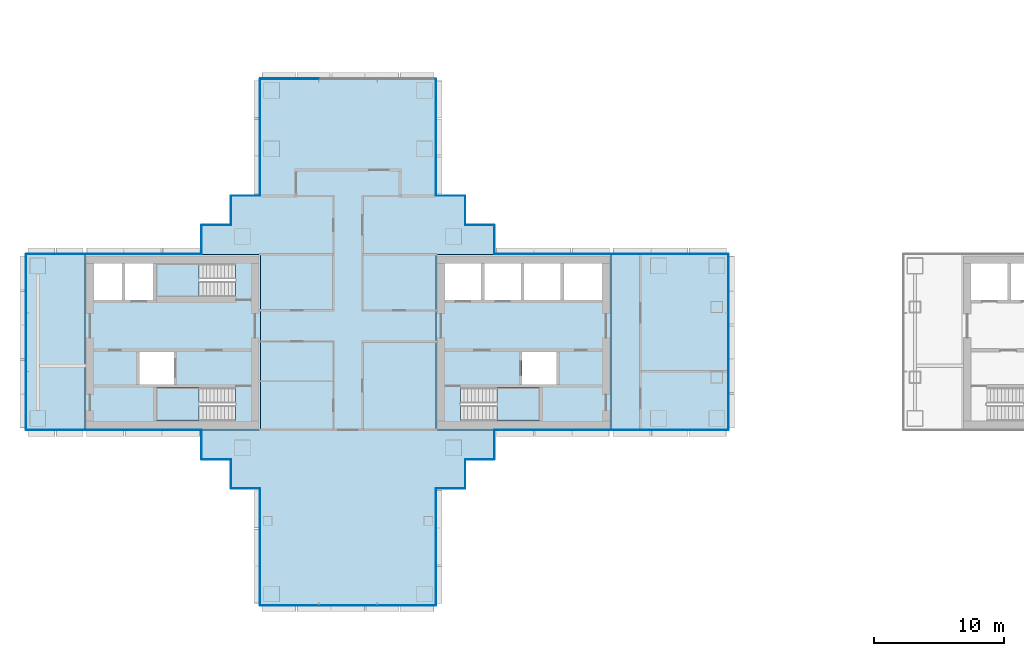
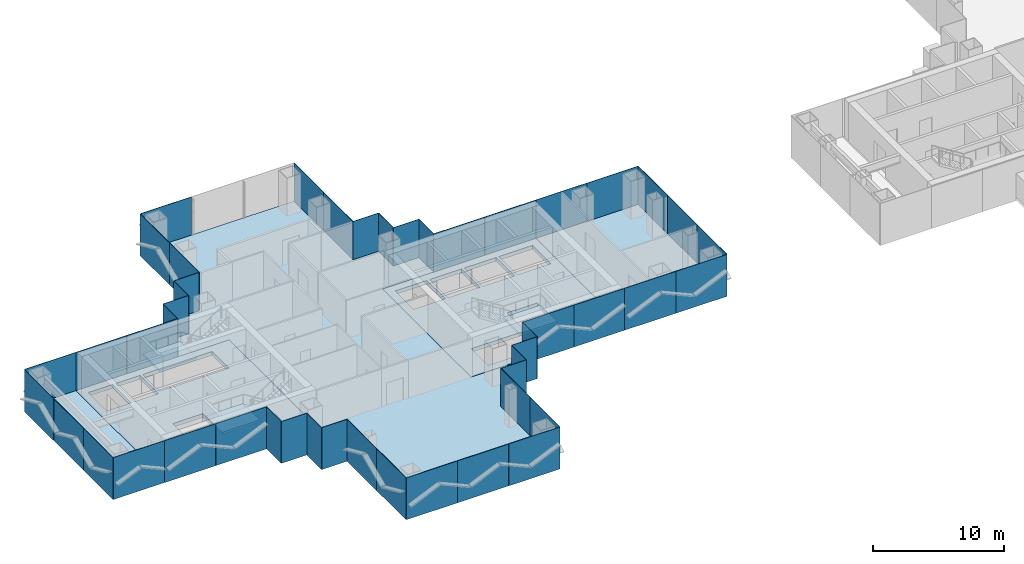
# One storey, part 8 of 19: 48 plates, 8 slabs, 23 elements without a shape of their own.
"""IFC4 building model written with IfcOpenShell, lengths in metres."""

import ifcopenshell
import ifcopenshell.guid

model = None  # the IFC model being written
_history = None  # IfcOwnerHistory: only IFC2X3 demands one
_inside = {}  # id of a spatial element -> (the spatial element, [elements in it])
_under = {}  # id of a project, library or spatial element -> (it, [spatial elements below it])
_declared = {}  # id of a project -> (the project, [libraries it declares])
_typed = {}  # id of a type object -> (the type object, [elements of that type])
_made_of = {}  # id of a material, layer set ... -> (it, [elements and type objects made of it])


def new_model(schema):
    """Start an empty IFC model of exactly this schema.

    Asked for "IFC4X3", IfcOpenShell would pick the latest addendum, in which some entities
    have other attributes; the version numbers below select the first issue.
    IFC2X3 requires an IfcOwnerHistory on every rooted entity: one is made here for all.
    """
    global model, _history
    if schema == "IFC4X3":
        model = ifcopenshell.file(schema_version=(4, 3, 0, 0))
    else:
        model = ifcopenshell.file(schema=schema)
    _inside.clear()
    _under.clear()
    _declared.clear()
    _typed.clear()
    _made_of.clear()
    _history = None
    if model.schema == "IFC2X3":
        org = make("IfcOrganization", Name="unknown")
        user = make(
            "IfcPersonAndOrganization",
            ThePerson=make("IfcPerson", FamilyName="unknown"),
            TheOrganization=org,
        )
        app = make(
            "IfcApplication",
            ApplicationDeveloper=org,
            Version="unknown",
            ApplicationFullName="unknown",
            ApplicationIdentifier="unknown",
        )
        _history = make(
            "IfcOwnerHistory",
            OwningUser=user,
            OwningApplication=app,
            ChangeAction="ADDED",
            CreationDate=0,
        )
    return model


def make(cls, **values):
    """One entity of the class cls with the attributes given. An attribute that is None is left unset."""
    return model.create_entity(
        cls, **{name: value for name, value in values.items() if value is not None}
    )


def rooted(cls, **values):
    """An entity with a GlobalId (a new one), such as an element, a storey or a relation."""
    return make(cls, GlobalId=ifcopenshell.guid.new(), OwnerHistory=_history, **values)


def si_unit(unit_type, name, prefix=None):
    """IfcSIUnit, for example si_unit("LENGTHUNIT", "METRE", prefix="MILLI")."""
    return make("IfcSIUnit", UnitType=unit_type, Prefix=prefix, Name=name)


def assignment(units):
    """IfcUnitAssignment: the units of a project."""
    return None if units is None else make("IfcUnitAssignment", Units=units)


def point(xyz):
    """IfcCartesianPoint."""
    return None if xyz is None else make("IfcCartesianPoint", Coordinates=xyz)


def direction(xyz):
    """IfcDirection."""
    return None if xyz is None else make("IfcDirection", DirectionRatios=xyz)


def frame(location, z_axis=None, x_axis=None):
    """IfcAxis2Placement3D, a coordinate frame: its origin and axes. An axis left out is left unset."""
    return make(
        "IfcAxis2Placement3D",
        Location=point(location),
        Axis=direction(z_axis),
        RefDirection=direction(x_axis),
    )


def frame_2d(location, x_axis=None):
    """IfcAxis2Placement2D, a coordinate frame in the plane: its origin and x axis."""
    return make(
        "IfcAxis2Placement2D", Location=point(location), RefDirection=direction(x_axis)
    )


def origin():
    """The frame at (0, 0, 0) with its axes left unset."""
    return frame((0.0, 0.0, 0.0))


def origin_2d():
    """The frame at (0, 0) in the plane with its x axis left unset."""
    return frame_2d((0.0, 0.0))


def place(relative_to, where):
    """IfcLocalPlacement: puts the frame where relative to a parent placement (None: the world)."""
    return make(
        "IfcLocalPlacement", PlacementRelTo=relative_to, RelativePlacement=where
    )


def context(
    kind, dimensions, precision=None, world=None, true_north=None, identifier=None
):
    """IfcGeometricRepresentationContext, for example the 3D "Model" context."""
    return make(
        "IfcGeometricRepresentationContext",
        ContextIdentifier=identifier,
        ContextType=kind,
        CoordinateSpaceDimension=dimensions,
        Precision=precision,
        WorldCoordinateSystem=world,
        TrueNorth=true_north,
    )


def subcontext(parent, identifier, kind, view, scale=None):
    """IfcGeometricRepresentationSubContext, for example "Body" below "Model"."""
    return make(
        "IfcGeometricRepresentationSubContext",
        ContextIdentifier=identifier,
        ContextType=kind,
        ParentContext=parent,
        TargetScale=scale,
        TargetView=view,
    )


def project(units=None, contexts=None):
    """IfcProject with its units and contexts."""
    return rooted(
        "IfcProject",
        Name="project",
        RepresentationContexts=contexts,
        UnitsInContext=assignment(units),
    )


def spatial(cls, under=None, at=None, **own):
    """A site, building, storey or space (cls), placed at a placement, below another one or the project."""
    s = rooted(cls, ObjectPlacement=at, **own)
    if under is not None:
        _under.setdefault(under.id(), (under, []))[1].append(s)
    return s


def polyline(points):
    """IfcPolyline through the points."""
    return make("IfcPolyline", Points=[point(p) for p in points])


def profile(cls, at=None, kind="AREA", **sizes):
    """A parametric profile (cls). Its sizes go by their IFC names, for example OverallWidth=200.0."""
    return make(cls, ProfileType=kind, Position=at, **sizes)


def rectangle(**sizes):
    """IfcRectangleProfileDef."""
    return profile("IfcRectangleProfileDef", **sizes)


def outline(outer, holes=None, kind="AREA"):
    """IfcArbitraryClosedProfileDef: a profile drawn as a closed curve; with holes, ...WithVoids."""
    if holes is None:
        return make("IfcArbitraryClosedProfileDef", ProfileType=kind, OuterCurve=outer)
    return make(
        "IfcArbitraryProfileDefWithVoids",
        ProfileType=kind,
        OuterCurve=outer,
        InnerCurves=holes,
    )


def extrude(swept, where, along, depth):
    """IfcExtrudedAreaSolid: the profile swept, set in the frame where, extruded along a direction by depth."""
    return make(
        "IfcExtrudedAreaSolid",
        SweptArea=swept,
        Position=where,
        ExtrudedDirection=direction(along),
        Depth=depth,
    )


def shape(context_of_items, identifier, shape_type, items):
    """IfcShapeRepresentation: the items that make up one representation, for example the "Body"."""
    return make(
        "IfcShapeRepresentation",
        ContextOfItems=context_of_items,
        RepresentationIdentifier=identifier,
        RepresentationType=shape_type,
        Items=items,
    )


def material(Name=None, Category=None):
    """IfcMaterial."""
    return make("IfcMaterial", Name=Name, Category=Category)


def layer(
    of_material, thickness, ventilated=None, Name=None, Category=None, Priority=None
):
    """IfcMaterialLayer: one layer of a wall or slab, of a material (None: an air gap)."""
    return make(
        "IfcMaterialLayer",
        Material=of_material,
        LayerThickness=thickness,
        IsVentilated=ventilated,
        Name=Name,
        Category=Category,
        Priority=Priority,
    )


def layer_set(layers, Name=None):
    """IfcMaterialLayerSet."""
    return make("IfcMaterialLayerSet", MaterialLayers=layers, LayerSetName=Name)


def made_of(thing, what):
    """Note that an element or type object is made of a material, layer set ...; save() writes the relation."""
    if what is not None:
        _made_of.setdefault(what.id(), (what, []))[1].append(thing)
    return thing


def type_object(cls, material=None, **own):
    """A type object (cls), such as IfcWallType, which elements share."""
    return made_of(rooted(cls, **own), material)


def element(
    cls,
    number,
    at=None,
    inside=None,
    cuts=None,
    type_object=None,
    material=None,
    context=None,
    identifier="Body",
    shape_type=None,
    held_by="IfcProductDefinitionShape",
    body=None,
    shapes=None,
    **own,
):
    """One element of the class cls, such as IfcWall. Its Tag is "e" and its number.

    at: its placement. inside: the storey or other place that contains it. cuts: it is an
    opening in that element (IfcRelVoidsElement). A single representation is given by context,
    identifier, shape_type and body (its items); several are given by shapes. held_by: the class
    of the entity that holds the representations. save() writes the other relations.
    """
    e = rooted(cls, Tag="e%d" % number, ObjectPlacement=at, **own)
    if body is not None:
        shapes = [shape(context, identifier, shape_type, body)]
    if shapes is not None:
        e.Representation = make(held_by, Representations=shapes)
    if inside is not None:
        _inside.setdefault(inside.id(), (inside, []))[1].append(e)
    if cuts is not None:
        rooted(
            "IfcRelVoidsElement", RelatingBuildingElement=cuts, RelatedOpeningElement=e
        )
    if type_object is not None:
        _typed.setdefault(type_object.id(), (type_object, []))[1].append(e)
    return made_of(e, material)


def aggregate(whole, parts):
    """IfcRelAggregates: a whole, such as a stair, and the parts it consists of."""
    return rooted("IfcRelAggregates", RelatingObject=whole, RelatedObjects=parts)


def save(model, path):
    """Write the relations noted so far, then the file.

    IfcRelAggregates (storeys below a building ...), IfcRelContainedInSpatialStructure (elements
    in a storey), IfcRelDefinesByType, IfcRelAssociatesMaterial and IfcRelDeclares: one each for
    every whole, place, type object, material and project.
    """
    for whole, parts in _under.values():
        aggregate(whole, parts)
    for where, things in _inside.values():
        rooted(
            "IfcRelContainedInSpatialStructure",
            RelatedElements=things,
            RelatingStructure=where,
        )
    for kind, things in _typed.values():
        rooted("IfcRelDefinesByType", RelatedObjects=things, RelatingType=kind)
    for what, things in _made_of.values():
        rooted("IfcRelAssociatesMaterial", RelatedObjects=things, RelatingMaterial=what)
    for by, libraries in _declared.values():
        rooted("IfcRelDeclares", RelatingContext=by, RelatedDefinitions=libraries)
    model.write(path)


model = new_model("IFC4")

# Units and contexts
model_context = context("Model", 3, precision=1e-05, world=origin(), true_north=direction((0.0, 1.0)))
body_context = subcontext(model_context, "Body", "Model", "MODEL_VIEW")
ifc_project = project(units=[si_unit("LENGTHUNIT", "METRE"), si_unit("AREAUNIT", "SQUARE_METRE"), si_unit("VOLUMEUNIT", "CUBIC_METRE"), si_unit("PLANEANGLEUNIT", "RADIAN"), si_unit("MASSUNIT", "GRAM", prefix="KILO")], contexts=[model_context])

# Site, building, storey
site_placement = place(None, origin())
site = spatial("IfcSite", under=ifc_project, at=site_placement, CompositionType="ELEMENT")
building_placement = place(site_placement, origin())
building = spatial("IfcBuilding", under=site, at=building_placement, Name="Shamsa Quay Exchange Towers", CompositionType="ELEMENT")
storey_placement = place(building_placement, frame((0.0, 0.0, 89.699951171875)))
storey = spatial("IfcBuildingStorey", under=building, at=storey_placement, Name="L20", CompositionType="ELEMENT", Elevation=89.699951171875)

# Slabs
ifc_material_1 = material(Name="Concrete C50/60", Category="concrete")
ifc_layer_1 = layer(ifc_material_1, 0.35009765625)
ifc_layer_set_1 = layer_set([ifc_layer_1], Name="CORE FLOOR 350 C50/60")
slab_type_1 = type_object("IfcSlabType", Name="CORE FLOOR 350 C50/60", PredefinedType="FLOOR", material=ifc_layer_set_1)
slab_1_placement = place(storey_placement, frame((0.0, 0.0, -0.349853515625)))
element("IfcSlab", 1, at=slab_1_placement, inside=storey, type_object=slab_type_1, Name="Core floor T1A", PredefinedType="FLOOR", context=body_context, shape_type="SweptSolid", body=[
    extrude(outline(polyline([(-27.0, -6.75), (-13.5, -6.75), (-13.5, 6.75), (-27.0, 6.75), (-27.0, -6.75)]), holes=[polyline([(-25.099365234375, -6.050048828125), (-25.099365234375, -3.5), (-19.0, -3.5), (-19.0, -6.050048828125), (-25.099365234375, -6.050048828125)]), polyline([(-26.300048828125, 3.25), (-26.300048828125, 6.050048828125), (-23.5, 6.050048828125), (-23.5, 3.25), (-26.300048828125, 3.25)]), polyline([(-23.25, 3.25), (-23.25, 6.050048828125), (-20.449951171875, 6.050048828125), (-20.449951171875, 3.25), (-23.25, 3.25)]), polyline([(-20.199951171875, 3.25), (-20.199951171875, 6.050048828125), (-17.39990234375, 6.050048828125), (-17.39990234375, 3.25), (-20.199951171875, 3.25)]), polyline([(-17.14990234375, 3.25), (-17.14990234375, 6.050048828125), (-14.199951171875, 6.050048828125), (-14.199951171875, 3.25), (-17.14990234375, 3.25)]), polyline([(-20.35009765625, -3.25), (-20.35009765625, -0.75), (-17.699951171875, -0.75), (-17.699951171875, -3.25), (-20.35009765625, -3.25)])]), origin(), (0.0, 0.0, 1.0), 0.349853515625),
])
slab_2_placement = place(storey_placement, frame((0.0, 0.0, -0.349853515625)))
element("IfcSlab", 2, at=slab_2_placement, inside=storey, type_object=slab_type_1, Name="Core floor T1B", PredefinedType="FLOOR", context=body_context, shape_type="SweptSolid", body=[
    extrude(outline(polyline([(-40.5, -6.75), (-40.5, 6.75), (-54.0, 6.75), (-54.0, -6.75), (-40.5, -6.75)]), holes=[polyline([(-42.400634765625, -3.5), (-42.400634765625, -6.050048828125), (-48.5, -6.050048828125), (-48.5, -3.5), (-42.400634765625, -3.5)]), polyline([(-42.400634765625, 6.050048828125), (-42.400634765625, 3.5), (-48.5, 3.5), (-48.5, 6.050048828125), (-42.400634765625, 6.050048828125)]), polyline([(-48.75, 3.25), (-50.89990234375, 3.25), (-50.89990234375, 6.050048828125), (-48.75, 6.050048828125), (-48.75, 3.25)]), polyline([(-51.14990234375, 3.25), (-53.300048828125, 3.25), (-53.300048828125, 6.050048828125), (-51.14990234375, 6.050048828125), (-51.14990234375, 3.25)]), polyline([(-47.14990234375, -3.25), (-49.800048828125, -3.25), (-49.800048828125, -0.75), (-47.14990234375, -0.75), (-47.14990234375, -3.25)])]), origin(), (0.0, 0.0, 1.0), 0.349853515625),
])

# Stair, slab
ifc_material_2 = material(Name="Concrete C40/50", Category="concrete")
stair_type = type_object("IfcStairType", Name="EXIT STAIR 22 RISERS 177 MM", PredefinedType="HALF_TURN_STAIR", material=ifc_material_2)
stair_1_placement = place(storey_placement, origin())
stair_1 = element("IfcStair", 3, at=stair_1_placement, inside=storey, type_object=stair_type, Name="L20 Exit stair ST1", PredefinedType="HALF_TURN_STAIR")
ifc_layer_2 = layer(ifc_material_2, 0.199951171875)
ifc_layer_set_2 = layer_set([ifc_layer_2], Name="CORE STAIR LANDING")
slab_type_2 = type_object("IfcSlabType", Name="CORE STAIR LANDING", PredefinedType="LANDING", material=ifc_layer_set_2)
slab_3_placement = place(storey_placement, frame((0.0, 0.0, 1.75)))
slab_3 = element("IfcSlab", 4, at=slab_3_placement, type_object=slab_type_2, Name="ST1 landing 1", PredefinedType="LANDING", context=body_context, shape_type="SweptSolid", body=[
    extrude(outline(polyline([(-22.300048828125, -6.050048828125), (-19.0, -6.050048828125), (-19.0, -3.5), (-22.300048828125, -3.5), (-22.300048828125, -6.050048828125)])), origin(), (0.0, 0.0, 1.0), 0.199951171875),
])
aggregate(stair_1, [slab_3])

stair_2_placement = place(storey_placement, origin())
stair_2 = element("IfcStair", 5, at=stair_2_placement, inside=storey, type_object=stair_type, Name="L20 Exit stair ST2", PredefinedType="HALF_TURN_STAIR")
slab_4_placement = place(storey_placement, frame((0.0, 0.0, 1.75)))
slab_4 = element("IfcSlab", 6, at=slab_4_placement, type_object=slab_type_2, Name="ST2 landing 1", PredefinedType="LANDING", context=body_context, shape_type="SweptSolid", body=[
    extrude(outline(polyline([(-45.199951171875, -3.5), (-48.5, -3.5), (-48.5, -6.050048828125), (-45.199951171875, -6.050048828125), (-45.199951171875, -3.5)])), origin(), (0.0, 0.0, 1.0), 0.199951171875),
])
aggregate(stair_2, [slab_4])

stair_3_placement = place(storey_placement, origin())
stair_3 = element("IfcStair", 7, at=stair_3_placement, inside=storey, type_object=stair_type, Name="L20 Exit stair ST3", PredefinedType="HALF_TURN_STAIR")
slab_5_placement = place(storey_placement, frame((0.0, 0.0, 1.75)))
slab_5 = element("IfcSlab", 8, at=slab_5_placement, type_object=slab_type_2, Name="ST3 landing 1", PredefinedType="LANDING", context=body_context, shape_type="SweptSolid", body=[
    extrude(outline(polyline([(-45.199951171875, 6.050048828125), (-48.5, 6.050048828125), (-48.5, 3.5), (-45.199951171875, 3.5), (-45.199951171875, 6.050048828125)])), origin(), (0.0, 0.0, 1.0), 0.199951171875),
])
aggregate(stair_3, [slab_5])

# Curtain wall, plates
ifc_material_3 = material(Name="Aluminium EN AW-6063 T6, black anodised", Category="aluminium")
ifc_layer_3 = layer(ifc_material_3, 0.280029296875)
ifc_layer_set_3 = layer_set([ifc_layer_3], Name="CW-1 UNITISED VISION GLASS")
curtain_wall_type_1 = type_object("IfcCurtainWallType", Name="CW-1 UNITISED VISION GLASS", PredefinedType="NOTDEFINED", material=ifc_layer_set_3)
curtain_wall_1_placement = place(storey_placement, origin())
curtain_wall_1 = element("IfcCurtainWall", 9, at=curtain_wall_1_placement, inside=storey, type_object=curtain_wall_type_1, Name="CW1 T1-FLK-V-W L20", PredefinedType="NOTDEFINED")
ifc_material_4 = material(Name="Glass, laminated, dark tinted", Category="glass")
ifc_layer_4 = layer(ifc_material_4, 0.0400390625)
ifc_layer_set_4 = layer_set([ifc_layer_4], Name="CW-1 VISION GLASS 40")
plate_type_1 = type_object("IfcPlateType", Name="CW-1 VISION GLASS 40", PredefinedType="CURTAIN_PANEL", material=ifc_layer_set_4)
plate_1_placement = place(storey_placement, frame((-40.52001953125, -13.52587890625, -0.349853515625), z_axis=(0.0, 0.0, 1.0), x_axis=(0.0, -1.0, 0.0)))
plate_1 = element("IfcPlate", 10, at=plate_1_placement, type_object=plate_type_1, Name="CW1 glass panel", PredefinedType="CURTAIN_PANEL", context=body_context, shape_type="SweptSolid", body=[
    extrude(rectangle(XDim=4.47607421875, YDim=0.0400390625, at=origin_2d()), origin(), (0.0, 0.0, 1.0), 3.89990234375),
])
plate_2_placement = place(storey_placement, frame((-40.52001953125, -18.011962890625, -0.349853515625), z_axis=(0.0, 0.0, 1.0), x_axis=(0.0, -1.0, 0.0)))
plate_2 = element("IfcPlate", 11, at=plate_2_placement, type_object=plate_type_1, Name="CW1 glass panel", PredefinedType="CURTAIN_PANEL", context=body_context, shape_type="SweptSolid", body=[
    extrude(rectangle(XDim=4.47607421875, YDim=0.0400390625, at=origin_2d()), origin(), (0.0, 0.0, 1.0), 3.89990234375),
])
aggregate(curtain_wall_1, [plate_1, plate_2])

curtain_wall_2_placement = place(storey_placement, origin())
curtain_wall_2 = element("IfcCurtainWall", 12, at=curtain_wall_2_placement, inside=storey, type_object=curtain_wall_type_1, Name="CW1 T1-END-V- L20", PredefinedType="NOTDEFINED")
plate_3_placement = place(storey_placement, frame((-38.25244140625, -20.27001953125, -0.349853515625)))
plate_3 = element("IfcPlate", 13, at=plate_3_placement, type_object=plate_type_1, Name="CW1 glass panel", PredefinedType="CURTAIN_PANEL", context=body_context, shape_type="SweptSolid", body=[
    extrude(rectangle(XDim=4.4951171875, YDim=0.0400390625, at=origin_2d()), origin(), (0.0, 0.0, 1.0), 3.89990234375),
])
plate_4_placement = place(storey_placement, frame((-33.75, -20.27001953125, -0.349853515625)))
plate_4 = element("IfcPlate", 14, at=plate_4_placement, type_object=plate_type_1, Name="CW1 glass panel", PredefinedType="CURTAIN_PANEL", context=body_context, shape_type="SweptSolid", body=[
    extrude(rectangle(XDim=4.489990234375, YDim=0.0400390625, at=origin_2d()), origin(), (0.0, 0.0, 1.0), 3.89990234375),
])
plate_5_placement = place(storey_placement, frame((-29.24755859375, -20.27001953125, -0.349853515625)))
plate_5 = element("IfcPlate", 15, at=plate_5_placement, type_object=plate_type_1, Name="CW1 glass panel", PredefinedType="CURTAIN_PANEL", context=body_context, shape_type="SweptSolid", body=[
    extrude(rectangle(XDim=4.4951171875, YDim=0.0400390625, at=origin_2d()), origin(), (0.0, 0.0, 1.0), 3.89990234375),
])
aggregate(curtain_wall_2, [plate_3, plate_4, plate_5])

curtain_wall_3_placement = place(storey_placement, origin())
curtain_wall_3 = element("IfcCurtainWall", 16, at=curtain_wall_3_placement, inside=storey, type_object=curtain_wall_type_1, Name="CW1 T1-FLK-V-E L20", PredefinedType="NOTDEFINED")
plate_6_placement = place(storey_placement, frame((-26.97998046875, -18.00244140625, -0.349853515625), z_axis=(0.0, 0.0, 1.0), x_axis=(0.0, 1.0, 0.0)))
plate_6 = element("IfcPlate", 17, at=plate_6_placement, type_object=plate_type_1, Name="CW1 glass panel", PredefinedType="CURTAIN_PANEL", context=body_context, shape_type="SweptSolid", body=[
    extrude(rectangle(XDim=4.4951171875, YDim=0.0400390625, at=origin_2d()), origin(), (0.0, 0.0, 1.0), 3.89990234375),
])
plate_7_placement = place(storey_placement, frame((-26.97998046875, -13.49755859375, -0.349853515625), z_axis=(0.0, 0.0, 1.0), x_axis=(0.0, 1.0, 0.0)))
plate_7 = element("IfcPlate", 18, at=plate_7_placement, type_object=plate_type_1, Name="CW1 glass panel", PredefinedType="CURTAIN_PANEL", context=body_context, shape_type="SweptSolid", body=[
    extrude(rectangle(XDim=4.4951171875, YDim=0.0400390625, at=origin_2d()), origin(), (0.0, 0.0, 1.0), 3.89990234375),
])
aggregate(curtain_wall_3, [plate_6, plate_7])

curtain_wall_4_placement = place(storey_placement, origin())
curtain_wall_4 = element("IfcCurtainWall", 19, at=curtain_wall_4_placement, inside=storey, type_object=curtain_wall_type_1, Name="CW1 T1-FLK-U+S L20", PredefinedType="NOTDEFINED")
plate_8_placement = place(storey_placement, frame((-11.25244140625, -6.77001953125, -0.349853515625)))
plate_8 = element("IfcPlate", 20, at=plate_8_placement, type_object=plate_type_1, Name="CW1 glass panel", PredefinedType="CURTAIN_PANEL", context=body_context, shape_type="SweptSolid", body=[
    extrude(rectangle(XDim=4.4951171875, YDim=0.0400390625, at=origin_2d()), origin(), (0.0, 0.0, 1.0), 3.89990234375),
])
plate_9_placement = place(storey_placement, frame((-6.74755859375, -6.77001953125, -0.349853515625)))
plate_9 = element("IfcPlate", 21, at=plate_9_placement, type_object=plate_type_1, Name="CW1 glass panel", PredefinedType="CURTAIN_PANEL", context=body_context, shape_type="SweptSolid", body=[
    extrude(rectangle(XDim=4.4951171875, YDim=0.0400390625, at=origin_2d()), origin(), (0.0, 0.0, 1.0), 3.89990234375),
])
aggregate(curtain_wall_4, [plate_8, plate_9])

curtain_wall_5_placement = place(storey_placement, origin())
curtain_wall_5 = element("IfcCurtainWall", 22, at=curtain_wall_5_placement, inside=storey, type_object=curtain_wall_type_1, Name="CW1 T1-END-U+ L20", PredefinedType="NOTDEFINED")
plate_10_placement = place(storey_placement, frame((-4.47998046875, -4.50244140625, -0.349853515625), z_axis=(0.0, 0.0, 1.0), x_axis=(0.0, 1.0, 0.0)))
plate_10 = element("IfcPlate", 23, at=plate_10_placement, type_object=plate_type_1, Name="CW1 glass panel", PredefinedType="CURTAIN_PANEL", context=body_context, shape_type="SweptSolid", body=[
    extrude(rectangle(XDim=4.4951171875, YDim=0.0400390625, at=origin_2d()), origin(), (0.0, 0.0, 1.0), 3.89990234375),
])
plate_11_placement = place(storey_placement, frame((-4.47998046875, 0.0, -0.349853515625), z_axis=(0.0, 0.0, 1.0), x_axis=(0.0, 1.0, 0.0)))
plate_11 = element("IfcPlate", 24, at=plate_11_placement, type_object=plate_type_1, Name="CW1 glass panel", PredefinedType="CURTAIN_PANEL", context=body_context, shape_type="SweptSolid", body=[
    extrude(rectangle(XDim=4.489990234375, YDim=0.0400390625, at=origin_2d()), origin(), (0.0, 0.0, 1.0), 3.89990234375),
])
plate_12_placement = place(storey_placement, frame((-4.47998046875, 4.50244140625, -0.349853515625), z_axis=(0.0, 0.0, 1.0), x_axis=(0.0, 1.0, 0.0)))
plate_12 = element("IfcPlate", 25, at=plate_12_placement, type_object=plate_type_1, Name="CW1 glass panel", PredefinedType="CURTAIN_PANEL", context=body_context, shape_type="SweptSolid", body=[
    extrude(rectangle(XDim=4.4951171875, YDim=0.0400390625, at=origin_2d()), origin(), (0.0, 0.0, 1.0), 3.89990234375),
])
aggregate(curtain_wall_5, [plate_10, plate_11, plate_12])

curtain_wall_6_placement = place(storey_placement, origin())
curtain_wall_6 = element("IfcCurtainWall", 26, at=curtain_wall_6_placement, inside=storey, type_object=curtain_wall_type_1, Name="CW1 T1-FLK-U+N L20", PredefinedType="NOTDEFINED")
plate_13_placement = place(storey_placement, frame((-6.74755859375, 6.77001953125, -0.349853515625), z_axis=(0.0, 0.0, 1.0), x_axis=(-1.0, 0.0, 0.0)))
plate_13 = element("IfcPlate", 27, at=plate_13_placement, type_object=plate_type_1, Name="CW1 glass panel", PredefinedType="CURTAIN_PANEL", context=body_context, shape_type="SweptSolid", body=[
    extrude(rectangle(XDim=4.4951171875, YDim=0.0400390625, at=origin_2d()), origin(), (0.0, 0.0, 1.0), 3.89990234375),
])
plate_14_placement = place(storey_placement, frame((-11.25244140625, 6.77001953125, -0.349853515625), z_axis=(0.0, 0.0, 1.0), x_axis=(-1.0, 0.0, 0.0)))
plate_14 = element("IfcPlate", 28, at=plate_14_placement, type_object=plate_type_1, Name="CW1 glass panel", PredefinedType="CURTAIN_PANEL", context=body_context, shape_type="SweptSolid", body=[
    extrude(rectangle(XDim=4.4951171875, YDim=0.0400390625, at=origin_2d()), origin(), (0.0, 0.0, 1.0), 3.89990234375),
])
aggregate(curtain_wall_6, [plate_13, plate_14])

curtain_wall_7_placement = place(storey_placement, origin())
curtain_wall_7 = element("IfcCurtainWall", 29, at=curtain_wall_7_placement, inside=storey, type_object=curtain_wall_type_1, Name="CW1 T1-FLK-V+E L20", PredefinedType="NOTDEFINED")
plate_15_placement = place(storey_placement, frame((-26.97998046875, 13.52587890625, -0.349853515625), z_axis=(0.0, 0.0, 1.0), x_axis=(0.0, 1.0, 0.0)))
plate_15 = element("IfcPlate", 30, at=plate_15_placement, type_object=plate_type_1, Name="CW1 glass panel", PredefinedType="CURTAIN_PANEL", context=body_context, shape_type="SweptSolid", body=[
    extrude(rectangle(XDim=4.47607421875, YDim=0.0400390625, at=origin_2d()), origin(), (0.0, 0.0, 1.0), 3.89990234375),
])
plate_16_placement = place(storey_placement, frame((-26.97998046875, 18.011962890625, -0.349853515625), z_axis=(0.0, 0.0, 1.0), x_axis=(0.0, 1.0, 0.0)))
plate_16 = element("IfcPlate", 31, at=plate_16_placement, type_object=plate_type_1, Name="CW1 glass panel", PredefinedType="CURTAIN_PANEL", context=body_context, shape_type="SweptSolid", body=[
    extrude(rectangle(XDim=4.47607421875, YDim=0.0400390625, at=origin_2d()), origin(), (0.0, 0.0, 1.0), 3.89990234375),
])
aggregate(curtain_wall_7, [plate_15, plate_16])

# Curtain wall, plate
curtain_wall_8_placement = place(storey_placement, origin())
curtain_wall_8 = element("IfcCurtainWall", 32, at=curtain_wall_8_placement, inside=storey, type_object=curtain_wall_type_1, Name="CW1 T1-END-V+ L20", PredefinedType="NOTDEFINED")
plate_17_placement = place(storey_placement, frame((-38.25244140625, 20.27001953125, -0.349853515625), z_axis=(0.0, 0.0, 1.0), x_axis=(-1.0, 0.0, 0.0)))
plate_17 = element("IfcPlate", 33, at=plate_17_placement, type_object=plate_type_1, Name="CW1 glass panel", PredefinedType="CURTAIN_PANEL", context=body_context, shape_type="SweptSolid", body=[
    extrude(rectangle(XDim=4.4951171875, YDim=0.0400390625, at=origin_2d()), origin(), (0.0, 0.0, 1.0), 3.89990234375),
])
aggregate(curtain_wall_8, [plate_17])

# Curtain wall, plates
curtain_wall_9_placement = place(storey_placement, origin())
curtain_wall_9 = element("IfcCurtainWall", 34, at=curtain_wall_9_placement, inside=storey, type_object=curtain_wall_type_1, Name="CW1 T1-FLK-V+W L20", PredefinedType="NOTDEFINED")
plate_18_placement = place(storey_placement, frame((-40.52001953125, 18.00244140625, -0.349853515625), z_axis=(0.0, 0.0, 1.0), x_axis=(0.0, -1.0, 0.0)))
plate_18 = element("IfcPlate", 35, at=plate_18_placement, type_object=plate_type_1, Name="CW1 glass panel", PredefinedType="CURTAIN_PANEL", context=body_context, shape_type="SweptSolid", body=[
    extrude(rectangle(XDim=4.4951171875, YDim=0.0400390625, at=origin_2d()), origin(), (0.0, 0.0, 1.0), 3.89990234375),
])
plate_19_placement = place(storey_placement, frame((-40.52001953125, 13.49755859375, -0.349853515625), z_axis=(0.0, 0.0, 1.0), x_axis=(0.0, -1.0, 0.0)))
plate_19 = element("IfcPlate", 36, at=plate_19_placement, type_object=plate_type_1, Name="CW1 glass panel", PredefinedType="CURTAIN_PANEL", context=body_context, shape_type="SweptSolid", body=[
    extrude(rectangle(XDim=4.4951171875, YDim=0.0400390625, at=origin_2d()), origin(), (0.0, 0.0, 1.0), 3.89990234375),
])
aggregate(curtain_wall_9, [plate_18, plate_19])

# Curtain wall, plate
curtain_wall_10_placement = place(storey_placement, origin())
curtain_wall_10 = element("IfcCurtainWall", 37, at=curtain_wall_10_placement, inside=storey, type_object=curtain_wall_type_1, Name="CW1 T1-FLK-U-N L20", PredefinedType="NOTDEFINED")
plate_20_placement = place(storey_placement, frame((-56.25, 6.77001953125, -0.349853515625), z_axis=(0.0, 0.0, 1.0), x_axis=(-1.0, 0.0, 0.0)))
plate_20 = element("IfcPlate", 38, at=plate_20_placement, type_object=plate_type_1, Name="CW1 glass panel", PredefinedType="CURTAIN_PANEL", context=body_context, shape_type="SweptSolid", body=[
    extrude(rectangle(XDim=4.5, YDim=0.0400390625, at=origin_2d()), origin(), (0.0, 0.0, 1.0), 3.89990234375),
])
aggregate(curtain_wall_10, [plate_20])

# Curtain wall, plates
curtain_wall_11_placement = place(storey_placement, origin())
curtain_wall_11 = element("IfcCurtainWall", 39, at=curtain_wall_11_placement, inside=storey, type_object=curtain_wall_type_1, Name="CW1 T1-END-U- L20", PredefinedType="NOTDEFINED")
plate_21_placement = place(storey_placement, frame((-58.52001953125, 4.50244140625, -0.349853515625), z_axis=(0.0, 0.0, 1.0), x_axis=(0.0, -1.0, 0.0)))
plate_21 = element("IfcPlate", 40, at=plate_21_placement, type_object=plate_type_1, Name="CW1 glass panel", PredefinedType="CURTAIN_PANEL", context=body_context, shape_type="SweptSolid", body=[
    extrude(rectangle(XDim=4.4951171875, YDim=0.0400390625, at=origin_2d()), origin(), (0.0, 0.0, 1.0), 3.89990234375),
])
plate_22_placement = place(storey_placement, frame((-58.52001953125, 0.0, -0.349853515625), z_axis=(0.0, 0.0, 1.0), x_axis=(0.0, -1.0, 0.0)))
plate_22 = element("IfcPlate", 41, at=plate_22_placement, type_object=plate_type_1, Name="CW1 glass panel", PredefinedType="CURTAIN_PANEL", context=body_context, shape_type="SweptSolid", body=[
    extrude(rectangle(XDim=4.489990234375, YDim=0.0400390625, at=origin_2d()), origin(), (0.0, 0.0, 1.0), 3.89990234375),
])
plate_23_placement = place(storey_placement, frame((-58.52001953125, -4.50244140625, -0.349853515625), z_axis=(0.0, 0.0, 1.0), x_axis=(0.0, -1.0, 0.0)))
plate_23 = element("IfcPlate", 42, at=plate_23_placement, type_object=plate_type_1, Name="CW1 glass panel", PredefinedType="CURTAIN_PANEL", context=body_context, shape_type="SweptSolid", body=[
    extrude(rectangle(XDim=4.4951171875, YDim=0.0400390625, at=origin_2d()), origin(), (0.0, 0.0, 1.0), 3.89990234375),
])
aggregate(curtain_wall_11, [plate_21, plate_22, plate_23])

# Curtain wall, plate
curtain_wall_12_placement = place(storey_placement, origin())
curtain_wall_12 = element("IfcCurtainWall", 43, at=curtain_wall_12_placement, inside=storey, type_object=curtain_wall_type_1, Name="CW1 T1-FLK-U-S L20", PredefinedType="NOTDEFINED")
plate_24_placement = place(storey_placement, frame((-56.25, -6.77001953125, -0.349853515625)))
plate_24 = element("IfcPlate", 44, at=plate_24_placement, type_object=plate_type_1, Name="CW1 glass panel", PredefinedType="CURTAIN_PANEL", context=body_context, shape_type="SweptSolid", body=[
    extrude(rectangle(XDim=4.5, YDim=0.0400390625, at=origin_2d()), origin(), (0.0, 0.0, 1.0), 3.89990234375),
])
aggregate(curtain_wall_12, [plate_24])

# Curtain wall, plates
ifc_layer_5 = layer(ifc_material_3, 0.303955078125)
ifc_layer_set_5 = layer_set([ifc_layer_5], Name="CW-2 UNITISED OPAQUE SPANDREL GLASS")
curtain_wall_type_2 = type_object("IfcCurtainWallType", Name="CW-2 UNITISED OPAQUE SPANDREL GLASS", PredefinedType="NOTDEFINED", material=ifc_layer_set_5)
curtain_wall_13_placement = place(storey_placement, origin())
curtain_wall_13 = element("IfcCurtainWall", 45, at=curtain_wall_13_placement, inside=storey, type_object=curtain_wall_type_2, Name="CW2 T1-FLK-U+S L20", PredefinedType="NOTDEFINED")
ifc_material_5 = material(Name="Glass, laminated, black enamelled opaque", Category="glass")
ifc_layer_6 = layer(ifc_material_5, 0.0439453125)
ifc_layer_set_6 = layer_set([ifc_layer_6], Name="CW-2 SPANDREL GLASS 44")
plate_type_2 = type_object("IfcPlateType", Name="CW-2 SPANDREL GLASS 44", PredefinedType="CURTAIN_PANEL", material=ifc_layer_set_6)
plate_25_placement = place(storey_placement, frame((-20.22412109375, -6.77197265625, -0.349853515625)))
plate_25 = element("IfcPlate", 46, at=plate_25_placement, type_object=plate_type_2, Name="CW2 glass panel", PredefinedType="CURTAIN_PANEL", context=body_context, shape_type="SweptSolid", body=[
    extrude(rectangle(XDim=4.47607421875, YDim=0.0439453125, at=origin_2d()), origin(), (0.0, 0.0, 1.0), 3.89990234375),
])
plate_26_placement = place(storey_placement, frame((-15.738037109375, -6.77197265625, -0.349853515625)))
plate_26 = element("IfcPlate", 47, at=plate_26_placement, type_object=plate_type_2, Name="CW2 glass panel", PredefinedType="CURTAIN_PANEL", context=body_context, shape_type="SweptSolid", body=[
    extrude(rectangle(XDim=4.47607421875, YDim=0.0439453125, at=origin_2d()), origin(), (0.0, 0.0, 1.0), 3.89990234375),
])
aggregate(curtain_wall_13, [plate_25, plate_26])

curtain_wall_14_placement = place(storey_placement, origin())
curtain_wall_14 = element("IfcCurtainWall", 48, at=curtain_wall_14_placement, inside=storey, type_object=curtain_wall_type_2, Name="CW2 T1-FLK-U+N L20", PredefinedType="NOTDEFINED")
plate_27_placement = place(storey_placement, frame((-15.74755859375, 6.77197265625, -0.349853515625), z_axis=(0.0, 0.0, 1.0), x_axis=(-1.0, 0.0, 0.0)))
plate_27 = element("IfcPlate", 49, at=plate_27_placement, type_object=plate_type_2, Name="CW2 glass panel", PredefinedType="CURTAIN_PANEL", context=body_context, shape_type="SweptSolid", body=[
    extrude(rectangle(XDim=4.4951171875, YDim=0.0439453125, at=origin_2d()), origin(), (0.0, 0.0, 1.0), 3.89990234375),
])
plate_28_placement = place(storey_placement, frame((-20.25244140625, 6.77197265625, -0.349853515625), z_axis=(0.0, 0.0, 1.0), x_axis=(-1.0, 0.0, 0.0)))
plate_28 = element("IfcPlate", 50, at=plate_28_placement, type_object=plate_type_2, Name="CW2 glass panel", PredefinedType="CURTAIN_PANEL", context=body_context, shape_type="SweptSolid", body=[
    extrude(rectangle(XDim=4.4951171875, YDim=0.0439453125, at=origin_2d()), origin(), (0.0, 0.0, 1.0), 3.89990234375),
])
aggregate(curtain_wall_14, [plate_27, plate_28])

curtain_wall_15_placement = place(storey_placement, origin())
curtain_wall_15 = element("IfcCurtainWall", 51, at=curtain_wall_15_placement, inside=storey, type_object=curtain_wall_type_2, Name="CW2 T1-FLK-U-N L20", PredefinedType="NOTDEFINED")
plate_29_placement = place(storey_placement, frame((-47.27587890625, 6.77197265625, -0.349853515625), z_axis=(0.0, 0.0, 1.0), x_axis=(-1.0, 0.0, 0.0)))
plate_29 = element("IfcPlate", 52, at=plate_29_placement, type_object=plate_type_2, Name="CW2 glass panel", PredefinedType="CURTAIN_PANEL", context=body_context, shape_type="SweptSolid", body=[
    extrude(rectangle(XDim=4.47607421875, YDim=0.0439453125, at=origin_2d()), origin(), (0.0, 0.0, 1.0), 3.89990234375),
])
plate_30_placement = place(storey_placement, frame((-51.761962890625, 6.77197265625, -0.349853515625), z_axis=(0.0, 0.0, 1.0), x_axis=(-1.0, 0.0, 0.0)))
plate_30 = element("IfcPlate", 53, at=plate_30_placement, type_object=plate_type_2, Name="CW2 glass panel", PredefinedType="CURTAIN_PANEL", context=body_context, shape_type="SweptSolid", body=[
    extrude(rectangle(XDim=4.47607421875, YDim=0.0439453125, at=origin_2d()), origin(), (0.0, 0.0, 1.0), 3.89990234375),
])
aggregate(curtain_wall_15, [plate_29, plate_30])

curtain_wall_16_placement = place(storey_placement, origin())
curtain_wall_16 = element("IfcCurtainWall", 54, at=curtain_wall_16_placement, inside=storey, type_object=curtain_wall_type_2, Name="CW2 T1-FLK-U-S L20", PredefinedType="NOTDEFINED")
plate_31_placement = place(storey_placement, frame((-51.75244140625, -6.77197265625, -0.349853515625)))
plate_31 = element("IfcPlate", 55, at=plate_31_placement, type_object=plate_type_2, Name="CW2 glass panel", PredefinedType="CURTAIN_PANEL", context=body_context, shape_type="SweptSolid", body=[
    extrude(rectangle(XDim=4.4951171875, YDim=0.0439453125, at=origin_2d()), origin(), (0.0, 0.0, 1.0), 3.89990234375),
])
plate_32_placement = place(storey_placement, frame((-47.24755859375, -6.77197265625, -0.349853515625)))
plate_32 = element("IfcPlate", 56, at=plate_32_placement, type_object=plate_type_2, Name="CW2 glass panel", PredefinedType="CURTAIN_PANEL", context=body_context, shape_type="SweptSolid", body=[
    extrude(rectangle(XDim=4.4951171875, YDim=0.0439453125, at=origin_2d()), origin(), (0.0, 0.0, 1.0), 3.89990234375),
])
aggregate(curtain_wall_16, [plate_31, plate_32])

ifc_layer_7 = layer(ifc_material_3, 0.256103515625)
ifc_layer_set_7 = layer_set([ifc_layer_7], Name="CW-4 POCKET SERRATED GLAZING")
curtain_wall_type_3 = type_object("IfcCurtainWallType", Name="CW-4 POCKET SERRATED GLAZING", PredefinedType="NOTDEFINED", material=ifc_layer_set_7)
curtain_wall_17_placement = place(storey_placement, origin())
curtain_wall_17 = element("IfcCurtainWall", 57, at=curtain_wall_17_placement, inside=storey, type_object=curtain_wall_type_3, Name="CW4 PKWS L20", PredefinedType="NOTDEFINED")
ifc_layer_8 = layer(ifc_material_4, 0.035888671875)
ifc_layer_set_8 = layer_set([ifc_layer_8], Name="CW-4 POCKET GLASS 36")
plate_type_3 = type_object("IfcPlateType", Name="CW-4 POCKET GLASS 36", PredefinedType="CURTAIN_PANEL", material=ifc_layer_set_8)
plate_33_placement = place(storey_placement, frame((-42.76806640625, -10.14404296875, -0.349853515625), z_axis=(0.0, 0.0, 1.0), x_axis=(0.0, -1.0, 0.0)))
plate_33 = element("IfcPlate", 58, at=plate_33_placement, type_object=plate_type_3, Name="CW4 glass panel", PredefinedType="CURTAIN_PANEL", context=body_context, shape_type="SweptSolid", body=[
    extrude(rectangle(XDim=2.2119140625, YDim=0.035888671875, at=origin_2d()), origin(), (0.0, 0.0, 1.0), 3.89990234375),
])
plate_34_placement = place(storey_placement, frame((-41.625, -11.26806640625, -0.349853515625)))
plate_34 = element("IfcPlate", 59, at=plate_34_placement, type_object=plate_type_3, Name="CW4 glass panel", PredefinedType="CURTAIN_PANEL", context=body_context, shape_type="SweptSolid", body=[
    extrude(rectangle(XDim=2.25, YDim=0.035888671875, at=origin_2d()), origin(), (0.0, 0.0, 1.0), 3.89990234375),
])
plate_35_placement = place(storey_placement, frame((-45.01806640625, -7.89794921875, -0.349853515625), z_axis=(0.0, 0.0, 1.0), x_axis=(0.0, -1.0, 0.0)))
plate_35 = element("IfcPlate", 60, at=plate_35_placement, type_object=plate_type_3, Name="CW4 glass panel", PredefinedType="CURTAIN_PANEL", context=body_context, shape_type="SweptSolid", body=[
    extrude(rectangle(XDim=2.2041015625, YDim=0.035888671875, at=origin_2d()), origin(), (0.0, 0.0, 1.0), 3.89990234375),
])
plate_36_placement = place(storey_placement, frame((-43.875, -9.01806640625, -0.349853515625)))
plate_36 = element("IfcPlate", 61, at=plate_36_placement, type_object=plate_type_3, Name="CW4 glass panel", PredefinedType="CURTAIN_PANEL", context=body_context, shape_type="SweptSolid", body=[
    extrude(rectangle(XDim=2.25, YDim=0.035888671875, at=origin_2d()), origin(), (0.0, 0.0, 1.0), 3.89990234375),
])
aggregate(curtain_wall_17, [plate_33, plate_34, plate_35, plate_36])

curtain_wall_18_placement = place(storey_placement, origin())
curtain_wall_18 = element("IfcCurtainWall", 62, at=curtain_wall_18_placement, inside=storey, type_object=curtain_wall_type_3, Name="CW4 PKES L20", PredefinedType="NOTDEFINED")
plate_37_placement = place(storey_placement, frame((-25.85400390625, -11.26806640625, -0.349853515625)))
plate_37 = element("IfcPlate", 63, at=plate_37_placement, type_object=plate_type_3, Name="CW4 glass panel", PredefinedType="CURTAIN_PANEL", context=body_context, shape_type="SweptSolid", body=[
    extrude(rectangle(XDim=2.2080078125, YDim=0.035888671875, at=origin_2d()), origin(), (0.0, 0.0, 1.0), 3.89990234375),
])
plate_38_placement = place(storey_placement, frame((-24.73193359375, -10.125, -0.349853515625), z_axis=(0.0, 0.0, 1.0), x_axis=(0.0, 1.0, 0.0)))
plate_38 = element("IfcPlate", 64, at=plate_38_placement, type_object=plate_type_3, Name="CW4 glass panel", PredefinedType="CURTAIN_PANEL", context=body_context, shape_type="SweptSolid", body=[
    extrude(rectangle(XDim=2.25, YDim=0.035888671875, at=origin_2d()), origin(), (0.0, 0.0, 1.0), 3.89990234375),
])
plate_39_placement = place(storey_placement, frame((-23.60595703125, -9.01806640625, -0.349853515625)))
plate_39 = element("IfcPlate", 65, at=plate_39_placement, type_object=plate_type_3, Name="CW4 glass panel", PredefinedType="CURTAIN_PANEL", context=body_context, shape_type="SweptSolid", body=[
    extrude(rectangle(XDim=2.2119140625, YDim=0.035888671875, at=origin_2d()), origin(), (0.0, 0.0, 1.0), 3.89990234375),
])
plate_40_placement = place(storey_placement, frame((-22.48193359375, -7.875, -0.349853515625), z_axis=(0.0, 0.0, 1.0), x_axis=(0.0, 1.0, 0.0)))
plate_40 = element("IfcPlate", 66, at=plate_40_placement, type_object=plate_type_3, Name="CW4 glass panel", PredefinedType="CURTAIN_PANEL", context=body_context, shape_type="SweptSolid", body=[
    extrude(rectangle(XDim=2.25, YDim=0.035888671875, at=origin_2d()), origin(), (0.0, 0.0, 1.0), 3.89990234375),
])
aggregate(curtain_wall_18, [plate_37, plate_38, plate_39, plate_40])

curtain_wall_19_placement = place(storey_placement, origin())
curtain_wall_19 = element("IfcCurtainWall", 67, at=curtain_wall_19_placement, inside=storey, type_object=curtain_wall_type_3, Name="CW4 PKEN L20", PredefinedType="NOTDEFINED")
plate_41_placement = place(storey_placement, frame((-22.48193359375, 7.89794921875, -0.349853515625), z_axis=(0.0, 0.0, 1.0), x_axis=(0.0, 1.0, 0.0)))
plate_41 = element("IfcPlate", 68, at=plate_41_placement, type_object=plate_type_3, Name="CW4 glass panel", PredefinedType="CURTAIN_PANEL", context=body_context, shape_type="SweptSolid", body=[
    extrude(rectangle(XDim=2.2041015625, YDim=0.035888671875, at=origin_2d()), origin(), (0.0, 0.0, 1.0), 3.89990234375),
])
plate_42_placement = place(storey_placement, frame((-23.625, 9.01806640625, -0.349853515625), z_axis=(0.0, 0.0, 1.0), x_axis=(-1.0, 0.0, 0.0)))
plate_42 = element("IfcPlate", 69, at=plate_42_placement, type_object=plate_type_3, Name="CW4 glass panel", PredefinedType="CURTAIN_PANEL", context=body_context, shape_type="SweptSolid", body=[
    extrude(rectangle(XDim=2.25, YDim=0.035888671875, at=origin_2d()), origin(), (0.0, 0.0, 1.0), 3.89990234375),
])
plate_43_placement = place(storey_placement, frame((-24.73193359375, 10.14404296875, -0.349853515625), z_axis=(0.0, 0.0, 1.0), x_axis=(0.0, 1.0, 0.0)))
plate_43 = element("IfcPlate", 70, at=plate_43_placement, type_object=plate_type_3, Name="CW4 glass panel", PredefinedType="CURTAIN_PANEL", context=body_context, shape_type="SweptSolid", body=[
    extrude(rectangle(XDim=2.2119140625, YDim=0.035888671875, at=origin_2d()), origin(), (0.0, 0.0, 1.0), 3.89990234375),
])
plate_44_placement = place(storey_placement, frame((-25.875, 11.26806640625, -0.349853515625), z_axis=(0.0, 0.0, 1.0), x_axis=(-1.0, 0.0, 0.0)))
plate_44 = element("IfcPlate", 71, at=plate_44_placement, type_object=plate_type_3, Name="CW4 glass panel", PredefinedType="CURTAIN_PANEL", context=body_context, shape_type="SweptSolid", body=[
    extrude(rectangle(XDim=2.25, YDim=0.035888671875, at=origin_2d()), origin(), (0.0, 0.0, 1.0), 3.89990234375),
])
aggregate(curtain_wall_19, [plate_41, plate_42, plate_43, plate_44])

curtain_wall_20_placement = place(storey_placement, origin())
curtain_wall_20 = element("IfcCurtainWall", 72, at=curtain_wall_20_placement, inside=storey, type_object=curtain_wall_type_3, Name="CW4 PKWN L20", PredefinedType="NOTDEFINED")
plate_45_placement = place(storey_placement, frame((-41.64599609375, 11.26806640625, -0.349853515625), z_axis=(0.0, 0.0, 1.0), x_axis=(-1.0, 0.0, 0.0)))
plate_45 = element("IfcPlate", 73, at=plate_45_placement, type_object=plate_type_3, Name="CW4 glass panel", PredefinedType="CURTAIN_PANEL", context=body_context, shape_type="SweptSolid", body=[
    extrude(rectangle(XDim=2.2080078125, YDim=0.035888671875, at=origin_2d()), origin(), (0.0, 0.0, 1.0), 3.89990234375),
])
plate_46_placement = place(storey_placement, frame((-42.76806640625, 10.125, -0.349853515625), z_axis=(0.0, 0.0, 1.0), x_axis=(0.0, -1.0, 0.0)))
plate_46 = element("IfcPlate", 74, at=plate_46_placement, type_object=plate_type_3, Name="CW4 glass panel", PredefinedType="CURTAIN_PANEL", context=body_context, shape_type="SweptSolid", body=[
    extrude(rectangle(XDim=2.25, YDim=0.035888671875, at=origin_2d()), origin(), (0.0, 0.0, 1.0), 3.89990234375),
])
plate_47_placement = place(storey_placement, frame((-43.89404296875, 9.01806640625, -0.349853515625), z_axis=(0.0, 0.0, 1.0), x_axis=(-1.0, 0.0, 0.0)))
plate_47 = element("IfcPlate", 75, at=plate_47_placement, type_object=plate_type_3, Name="CW4 glass panel", PredefinedType="CURTAIN_PANEL", context=body_context, shape_type="SweptSolid", body=[
    extrude(rectangle(XDim=2.2119140625, YDim=0.035888671875, at=origin_2d()), origin(), (0.0, 0.0, 1.0), 3.89990234375),
])
plate_48_placement = place(storey_placement, frame((-45.01806640625, 7.875, -0.349853515625), z_axis=(0.0, 0.0, 1.0), x_axis=(0.0, -1.0, 0.0)))
plate_48 = element("IfcPlate", 76, at=plate_48_placement, type_object=plate_type_3, Name="CW4 glass panel", PredefinedType="CURTAIN_PANEL", context=body_context, shape_type="SweptSolid", body=[
    extrude(rectangle(XDim=2.25, YDim=0.035888671875, at=origin_2d()), origin(), (0.0, 0.0, 1.0), 3.89990234375),
])
aggregate(curtain_wall_20, [plate_45, plate_46, plate_47, plate_48])

# Slabs
ifc_layer_9 = layer(ifc_material_2, 0.35009765625)
ifc_layer_set_9 = layer_set([ifc_layer_9], Name="Flat slab 350")
slab_type_3 = type_object("IfcSlabType", Name="Flat slab 350", PredefinedType="FLOOR", material=ifc_layer_set_9)
slab_6_placement = place(storey_placement, frame((0.0, 0.0, -0.349853515625)))
element("IfcSlab", 77, at=slab_6_placement, inside=storey, type_object=slab_type_3, Name="Flat slab T1 L20 1", PredefinedType="FLOOR", context=body_context, shape_type="SweptSolid", body=[
    extrude(outline(polyline([(-58.5, -6.75), (-54.0, -6.75), (-54.0, 6.75), (-58.5, 6.75), (-58.5, -6.75)])), origin(), (0.0, 0.0, 1.0), 0.349853515625),
])
slab_7_placement = place(storey_placement, frame((0.0, 0.0, -0.349853515625)))
element("IfcSlab", 78, at=slab_7_placement, inside=storey, type_object=slab_type_3, Name="Flat slab T1 L20 2", PredefinedType="FLOOR", context=body_context, shape_type="SweptSolid", body=[
    extrude(outline(polyline([(-22.5, -9.0), (-22.5, -6.75), (-27.0, -6.75), (-27.0, 6.75), (-22.5, 6.75), (-22.5, 9.0), (-24.75, 9.0), (-24.75, 11.25), (-27.0, 11.25), (-27.0, 20.25), (-40.5, 20.25), (-40.5, 11.25), (-42.75, 11.25), (-42.75, 9.0), (-45.0, 9.0), (-45.0, 6.75), (-40.5, 6.75), (-40.5, -6.75), (-45.0, -6.75), (-45.0, -9.0), (-42.75, -9.0), (-42.75, -11.25), (-40.5, -11.25), (-40.5, -20.25), (-27.0, -20.25), (-27.0, -11.25), (-24.75, -11.25), (-24.75, -9.0), (-22.5, -9.0)])), origin(), (0.0, 0.0, 1.0), 0.349853515625),
])
slab_8_placement = place(storey_placement, frame((0.0, 0.0, -0.349853515625)))
element("IfcSlab", 79, at=slab_8_placement, inside=storey, type_object=slab_type_3, Name="Flat slab T1 L20 3", PredefinedType="FLOOR", context=body_context, shape_type="SweptSolid", body=[
    extrude(outline(polyline([(-4.5, 6.75), (-13.5, 6.75), (-13.5, -6.75), (-4.5, -6.75), (-4.5, 6.75)])), origin(), (0.0, 0.0, 1.0), 0.349853515625),
])

save(model, "model.ifc")
